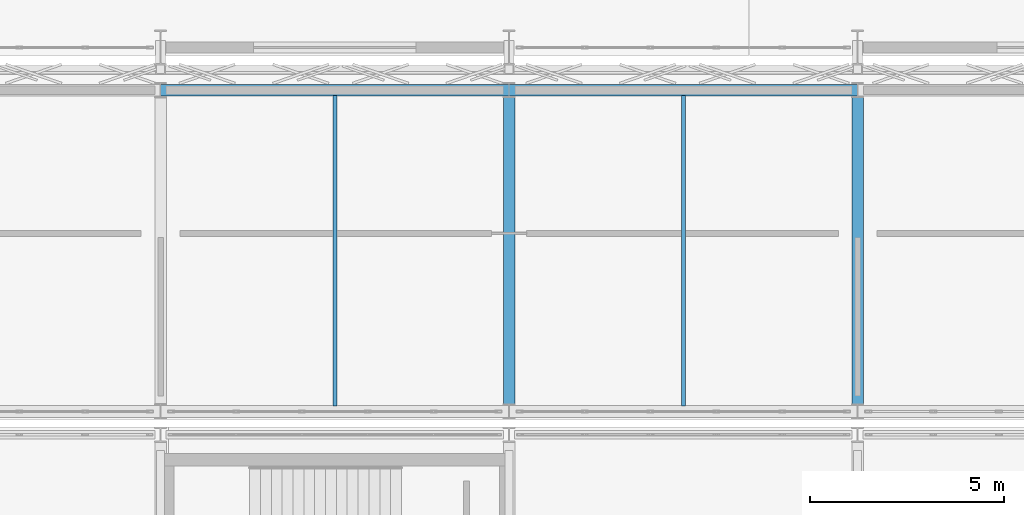
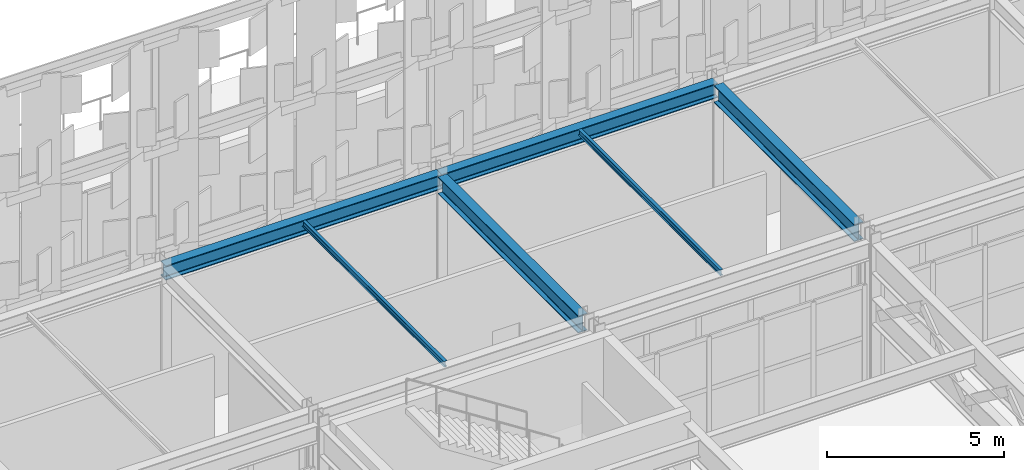
# One storey, part 51 of 210: 6 beams.
"""IFC4 building model written with IfcOpenShell, lengths in metres."""

from ifc_helpers import new_model, si_unit, direction, frame, origin, origin_2d, place, context, subcontext, project, spatial, i_section, extrude, material, material_profile, profile_set, type_object, element, save


model = new_model("IFC4")

# Units and contexts
model_context = context("Model", 3, precision=1e-05, world=origin(), true_north=direction((0.0, 1.0)))
body_context = subcontext(model_context, "Body", "Model", "MODEL_VIEW")
ifc_project = project(units=[si_unit("LENGTHUNIT", "METRE"), si_unit("AREAUNIT", "SQUARE_METRE"), si_unit("VOLUMEUNIT", "CUBIC_METRE"), si_unit("PLANEANGLEUNIT", "RADIAN"), si_unit("MASSUNIT", "GRAM", prefix="KILO")], contexts=[model_context])

# Site, building, storey
site_placement = place(None, origin())
site = spatial("IfcSite", under=ifc_project, at=site_placement, CompositionType="ELEMENT")
building_placement = place(site_placement, origin())
building = spatial("IfcBuilding", under=site, at=building_placement, Name="Kaldris Quays Convention Centre", CompositionType="ELEMENT")
storey_placement = place(building_placement, frame((0.0, 0.0, 6.0)))
storey = spatial("IfcBuildingStorey", under=building, at=storey_placement, Name="L01", CompositionType="ELEMENT", Elevation=6.0)

# Beams
ifc_material = material(Name="Steel S355J2", Category="steel")
ifc_material_profile_1 = material_profile(ifc_material, i_section(OverallWidth=0.300048828125, OverallDepth=0.5, WebThickness=0.014404296875, FlangeThickness=0.028076171875, FilletRadius=0.027099609375, at=origin_2d()), Name="HEB 500")
ifc_profile_set_1 = profile_set([ifc_material_profile_1], Name="Steel S355J2")
beam_type_1 = type_object("IfcBeamType", Name="STRUCTURAL BEAM BM06", PredefinedType="BEAM", material=ifc_profile_set_1)
for number, where, z_axis, x_axis, name in (
    (1, (46.99951171875, 54.89990234375, 4.89306640625), (1.0, 0.0, 0.0), (0.0, 1.0, 0.0), "L01 Girder BM06 9"),
    (2, (55.99951171875, 54.89990234375, 4.89306640625), (1.0, 0.0, 0.0), (0.0, 1.0, 0.0), "L01 Girder BM06 10"),
):
    element("IfcBeam", number, at=place(storey_placement, frame(where, z_axis=z_axis, x_axis=x_axis)), inside=storey, type_object=beam_type_1, Name=name, PredefinedType="BEAM", context=body_context, shape_type="SweptSolid", body=[
        extrude(i_section(OverallWidth=0.300048828125, OverallDepth=0.5, WebThickness=0.014404296875, FlangeThickness=0.028076171875, FilletRadius=0.027099609375, at=origin_2d()), origin(), (0.0, 0.0, 1.0), 9.0009765625),
    ])
ifc_material_profile_2 = material_profile(ifc_material, i_section(OverallWidth=0.300048828125, OverallDepth=0.590087890625, WebThickness=0.012939453125, FlangeThickness=0.02490234375, FilletRadius=0.027099609375, at=origin_2d()), Name="HEA 600")
ifc_profile_set_2 = profile_set([ifc_material_profile_2], Name="Steel S355J2")
beam_type_2 = type_object("IfcBeamType", Name="STRUCTURAL BEAM BM08", PredefinedType="BEAM", material=ifc_profile_set_2)
for number, where, z_axis, x_axis, name in (
    (3, (56.0, 46.7890625, 4.847900390625), (0.0, 1.0, 0.0), (-1.0, 0.0, 0.0), "L01 Girder BM08 16"),
    (4, (65.0, 46.7890625, 4.847900390625), (0.0, 1.0, 0.0), (-1.0, 0.0, 0.0), "L01 Girder BM08 17"),
):
    element("IfcBeam", number, at=place(storey_placement, frame(where, z_axis=z_axis, x_axis=x_axis)), inside=storey, type_object=beam_type_2, Name=name, PredefinedType="BEAM", context=body_context, shape_type="SweptSolid", body=[
        extrude(i_section(OverallWidth=0.300048828125, OverallDepth=0.590087890625, WebThickness=0.012939453125, FlangeThickness=0.02490234375, FilletRadius=0.027099609375, at=origin_2d()), origin(), (0.0, 0.0, 1.0), 7.921875),
    ])
ifc_material_profile_3 = material_profile(ifc_material, i_section(OverallWidth=0.10009765625, OverallDepth=0.199951171875, WebThickness=0.005615234375, FlangeThickness=0.008544921875, FilletRadius=0.011962890625, at=origin_2d()), Name="IPE 200")
ifc_profile_set_3 = profile_set([ifc_material_profile_3], Name="Steel S355J2")
beam_type_3 = type_object("IfcBeamType", Name="STRUCTURAL BEAM JT09", PredefinedType="JOIST", material=ifc_profile_set_3)
for number, where, z_axis, x_axis, name in (
    (5, (51.5, 46.743896484375, 5.04296875), (0.0, 1.0, 0.0), (-1.0, 0.0, 0.0), "L01 Secondary Joist JT09 3"),
    (6, (60.5, 46.743896484375, 5.04296875), (0.0, 1.0, 0.0), (-1.0, 0.0, 0.0), "L01 Secondary Joist JT09 4"),
):
    element("IfcBeam", number, at=place(storey_placement, frame(where, z_axis=z_axis, x_axis=x_axis)), inside=storey, type_object=beam_type_3, Name=name, PredefinedType="JOIST", context=body_context, shape_type="SweptSolid", body=[
        extrude(i_section(OverallWidth=0.10009765625, OverallDepth=0.199951171875, WebThickness=0.005615234375, FlangeThickness=0.008544921875, FilletRadius=0.011962890625, at=origin_2d()), origin(), (0.0, 0.0, 1.0), 8.01220703125),
    ])

save(model, "model.ifc")
